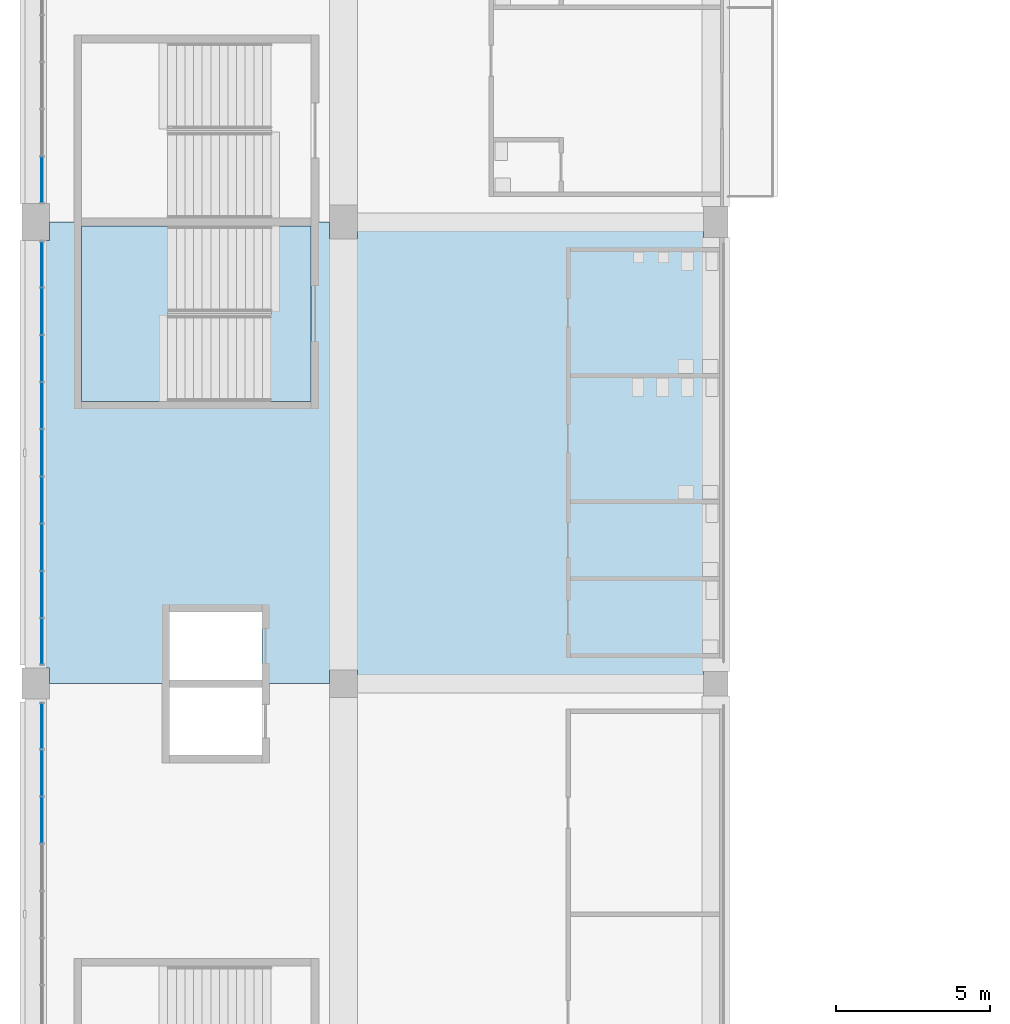
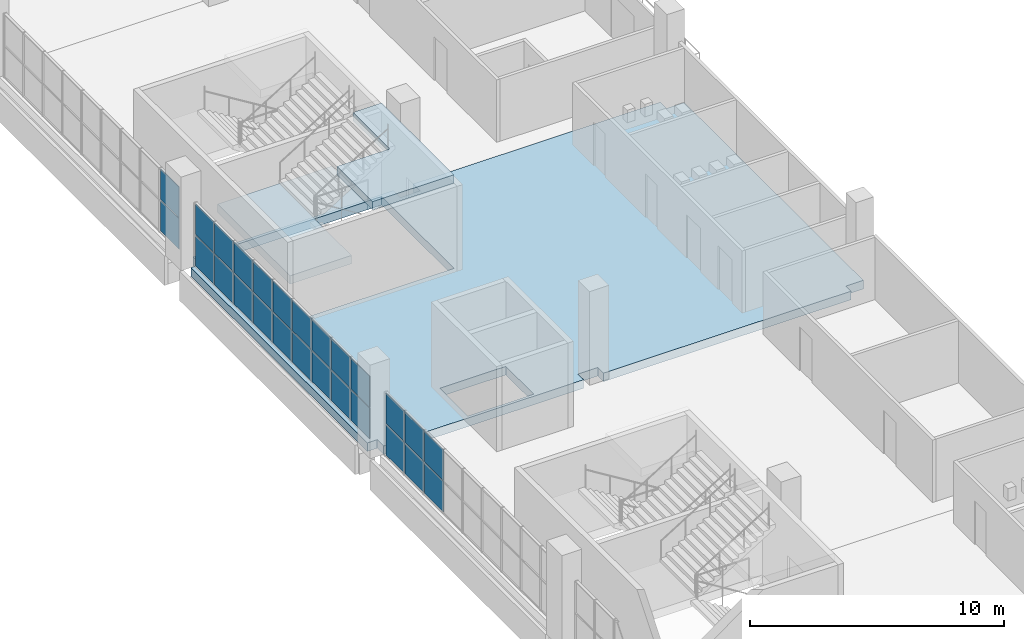
# One storey, part 61 of 199: 26 plates, 3 slabs, 4 elements without a shape of their own.
"""IFC4 building model written with IfcOpenShell, lengths in metres."""

from ifc_helpers import new_model, si_unit, direction, frame, origin, origin_2d, place, context, subcontext, project, spatial, polyline, rectangle, outline, extrude, material, layer, layer_set, type_object, element, aggregate, save


model = new_model("IFC4")

# Units and contexts
model_context = context("Model", 3, precision=1e-05, world=origin(), true_north=direction((0.0, 1.0)))
body_context = subcontext(model_context, "Body", "Model", "MODEL_VIEW")
ifc_project = project(units=[si_unit("LENGTHUNIT", "METRE"), si_unit("AREAUNIT", "SQUARE_METRE"), si_unit("VOLUMEUNIT", "CUBIC_METRE"), si_unit("PLANEANGLEUNIT", "RADIAN"), si_unit("MASSUNIT", "GRAM", prefix="KILO")], contexts=[model_context])

# Site, building, storey
site_placement = place(None, origin())
site = spatial("IfcSite", under=ifc_project, at=site_placement, CompositionType="ELEMENT")
building_placement = place(site_placement, origin())
building = spatial("IfcBuilding", under=site, at=building_placement, Name="Ogive Plaza Stadium", CompositionType="ELEMENT")
storey_placement = place(building_placement, frame((0.0, 0.0, 9.0)))
storey = spatial("IfcBuildingStorey", under=building, at=storey_placement, Name="L02", CompositionType="ELEMENT", Elevation=9.0)

# Curtain wall, plates
ifc_material_1 = material(Name="Bronze-anodised aluminium with laminated glass", Category="aluminium")
curtain_wall_type = type_object("IfcCurtainWallType", Name="Lancet curtain wall", PredefinedType="NOTDEFINED", material=ifc_material_1)
curtain_wall_1_placement = place(storey_placement, origin())
curtain_wall_1 = element("IfcCurtainWall", 1, at=curtain_wall_1_placement, inside=storey, type_object=curtain_wall_type, Name="CURTAIN WALL B24 L02", PredefinedType="NOTDEFINED")
ifc_material_2 = material(Name="Laminated glass", Category="glass")
ifc_layer_1 = layer(ifc_material_2, 0.028076171875)
ifc_layer_set_1 = layer_set([ifc_layer_1], Name="Laminated glass panel 28")
plate_type = type_object("IfcPlateType", Name="Laminated glass panel 28", PredefinedType="CURTAIN_PANEL", material=ifc_layer_set_1)
plate_1_placement = place(storey_placement, frame((-83.800048828125, 3.066650390625, 0.0498046875), z_axis=(0.0, 0.0, 1.0), x_axis=(0.0, 1.0, 0.0)))
plate_1 = element("IfcPlate", 2, at=plate_1_placement, type_object=plate_type, Name="CW-B24-L02 panel 7.1", PredefinedType="CURTAIN_PANEL", context=body_context, shape_type="SweptSolid", body=[
    extrude(rectangle(XDim=1.4833984375, YDim=0.028076171875, at=origin_2d()), origin(), (0.0, 0.0, 1.0), 1.469970703125),
])
plate_2_placement = place(storey_placement, frame((-83.800048828125, 3.066650390625, 1.56982421875), z_axis=(0.0, 0.0, 1.0), x_axis=(0.0, 1.0, 0.0)))
plate_2 = element("IfcPlate", 3, at=plate_2_placement, type_object=plate_type, Name="CW-B24-L02 panel 7.2", PredefinedType="CURTAIN_PANEL", context=body_context, shape_type="SweptSolid", body=[
    extrude(rectangle(XDim=1.4833984375, YDim=0.028076171875, at=origin_2d()), origin(), (0.0, 0.0, 1.0), 1.469970703125),
])
plate_3_placement = place(storey_placement, frame((-83.800048828125, 4.60009765625, 0.0498046875), z_axis=(0.0, 0.0, 1.0), x_axis=(0.0, 1.0, 0.0)))
plate_3 = element("IfcPlate", 4, at=plate_3_placement, type_object=plate_type, Name="CW-B24-L02 panel 8.1", PredefinedType="CURTAIN_PANEL", context=body_context, shape_type="SweptSolid", body=[
    extrude(rectangle(XDim=1.4833984375, YDim=0.028076171875, at=origin_2d()), origin(), (0.0, 0.0, 1.0), 1.469970703125),
])
plate_4_placement = place(storey_placement, frame((-83.800048828125, 4.60009765625, 1.56982421875), z_axis=(0.0, 0.0, 1.0), x_axis=(0.0, 1.0, 0.0)))
plate_4 = element("IfcPlate", 5, at=plate_4_placement, type_object=plate_type, Name="CW-B24-L02 panel 8.2", PredefinedType="CURTAIN_PANEL", context=body_context, shape_type="SweptSolid", body=[
    extrude(rectangle(XDim=1.4833984375, YDim=0.028076171875, at=origin_2d()), origin(), (0.0, 0.0, 1.0), 1.469970703125),
])
plate_5_placement = place(storey_placement, frame((-83.800048828125, 6.120849609375, 0.0498046875), z_axis=(0.0, 0.0, 1.0), x_axis=(0.0, 1.0, 0.0)))
plate_5 = element("IfcPlate", 6, at=plate_5_placement, type_object=plate_type, Name="CW-B24-L02 panel 9.1", PredefinedType="CURTAIN_PANEL", context=body_context, shape_type="SweptSolid", body=[
    extrude(rectangle(XDim=1.458251953125, YDim=0.028076171875, at=origin_2d()), origin(), (0.0, 0.0, 1.0), 1.469970703125),
])
plate_6_placement = place(storey_placement, frame((-83.800048828125, 6.120849609375, 1.56982421875), z_axis=(0.0, 0.0, 1.0), x_axis=(0.0, 1.0, 0.0)))
plate_6 = element("IfcPlate", 7, at=plate_6_placement, type_object=plate_type, Name="CW-B24-L02 panel 9.2", PredefinedType="CURTAIN_PANEL", context=body_context, shape_type="SweptSolid", body=[
    extrude(rectangle(XDim=1.458251953125, YDim=0.028076171875, at=origin_2d()), origin(), (0.0, 0.0, 1.0), 1.469970703125),
])
aggregate(curtain_wall_1, [plate_1, plate_2, plate_3, plate_4, plate_5, plate_6])

curtain_wall_2_placement = place(storey_placement, origin())
curtain_wall_2 = element("IfcCurtainWall", 8, at=curtain_wall_2_placement, inside=storey, type_object=curtain_wall_type, Name="CURTAIN WALL B25 L02", PredefinedType="NOTDEFINED")
plate_7_placement = place(storey_placement, frame((-83.800048828125, 8.879150390625, 0.0498046875), z_axis=(0.0, 0.0, 1.0), x_axis=(0.0, 1.0, 0.0)))
plate_7 = element("IfcPlate", 9, at=plate_7_placement, type_object=plate_type, Name="CW-B25-L02 panel 1.1", PredefinedType="CURTAIN_PANEL", context=body_context, shape_type="SweptSolid", body=[
    extrude(rectangle(XDim=1.458251953125, YDim=0.028076171875, at=origin_2d()), origin(), (0.0, 0.0, 1.0), 1.469970703125),
])
plate_8_placement = place(storey_placement, frame((-83.800048828125, 8.879150390625, 1.56982421875), z_axis=(0.0, 0.0, 1.0), x_axis=(0.0, 1.0, 0.0)))
plate_8 = element("IfcPlate", 10, at=plate_8_placement, type_object=plate_type, Name="CW-B25-L02 panel 1.2", PredefinedType="CURTAIN_PANEL", context=body_context, shape_type="SweptSolid", body=[
    extrude(rectangle(XDim=1.458251953125, YDim=0.028076171875, at=origin_2d()), origin(), (0.0, 0.0, 1.0), 1.469970703125),
])
plate_9_placement = place(storey_placement, frame((-83.800048828125, 10.39990234375, 0.0498046875), z_axis=(0.0, 0.0, 1.0), x_axis=(0.0, 1.0, 0.0)))
plate_9 = element("IfcPlate", 11, at=plate_9_placement, type_object=plate_type, Name="CW-B25-L02 panel 2.1", PredefinedType="CURTAIN_PANEL", context=body_context, shape_type="SweptSolid", body=[
    extrude(rectangle(XDim=1.4833984375, YDim=0.028076171875, at=origin_2d()), origin(), (0.0, 0.0, 1.0), 1.469970703125),
])
plate_10_placement = place(storey_placement, frame((-83.800048828125, 10.39990234375, 1.56982421875), z_axis=(0.0, 0.0, 1.0), x_axis=(0.0, 1.0, 0.0)))
plate_10 = element("IfcPlate", 12, at=plate_10_placement, type_object=plate_type, Name="CW-B25-L02 panel 2.2", PredefinedType="CURTAIN_PANEL", context=body_context, shape_type="SweptSolid", body=[
    extrude(rectangle(XDim=1.4833984375, YDim=0.028076171875, at=origin_2d()), origin(), (0.0, 0.0, 1.0), 1.469970703125),
])
plate_11_placement = place(storey_placement, frame((-83.800048828125, 11.933349609375, 0.0498046875), z_axis=(0.0, 0.0, 1.0), x_axis=(0.0, 1.0, 0.0)))
plate_11 = element("IfcPlate", 13, at=plate_11_placement, type_object=plate_type, Name="CW-B25-L02 panel 3.1", PredefinedType="CURTAIN_PANEL", context=body_context, shape_type="SweptSolid", body=[
    extrude(rectangle(XDim=1.4833984375, YDim=0.028076171875, at=origin_2d()), origin(), (0.0, 0.0, 1.0), 1.469970703125),
])
plate_12_placement = place(storey_placement, frame((-83.800048828125, 11.933349609375, 1.56982421875), z_axis=(0.0, 0.0, 1.0), x_axis=(0.0, 1.0, 0.0)))
plate_12 = element("IfcPlate", 14, at=plate_12_placement, type_object=plate_type, Name="CW-B25-L02 panel 3.2", PredefinedType="CURTAIN_PANEL", context=body_context, shape_type="SweptSolid", body=[
    extrude(rectangle(XDim=1.4833984375, YDim=0.028076171875, at=origin_2d()), origin(), (0.0, 0.0, 1.0), 1.469970703125),
])
plate_13_placement = place(storey_placement, frame((-83.800048828125, 13.466552734375, 0.0498046875), z_axis=(0.0, 0.0, 1.0), x_axis=(0.0, 1.0, 0.0)))
plate_13 = element("IfcPlate", 15, at=plate_13_placement, type_object=plate_type, Name="CW-B25-L02 panel 4.1", PredefinedType="CURTAIN_PANEL", context=body_context, shape_type="SweptSolid", body=[
    extrude(rectangle(XDim=1.4833984375, YDim=0.028076171875, at=origin_2d()), origin(), (0.0, 0.0, 1.0), 1.469970703125),
])
plate_14_placement = place(storey_placement, frame((-83.800048828125, 13.466552734375, 1.56982421875), z_axis=(0.0, 0.0, 1.0), x_axis=(0.0, 1.0, 0.0)))
plate_14 = element("IfcPlate", 16, at=plate_14_placement, type_object=plate_type, Name="CW-B25-L02 panel 4.2", PredefinedType="CURTAIN_PANEL", context=body_context, shape_type="SweptSolid", body=[
    extrude(rectangle(XDim=1.4833984375, YDim=0.028076171875, at=origin_2d()), origin(), (0.0, 0.0, 1.0), 1.469970703125),
])
plate_15_placement = place(storey_placement, frame((-83.800048828125, 15.0, 0.0498046875), z_axis=(0.0, 0.0, 1.0), x_axis=(0.0, 1.0, 0.0)))
plate_15 = element("IfcPlate", 17, at=plate_15_placement, type_object=plate_type, Name="CW-B25-L02 panel 5.1", PredefinedType="CURTAIN_PANEL", context=body_context, shape_type="SweptSolid", body=[
    extrude(rectangle(XDim=1.4833984375, YDim=0.028076171875, at=origin_2d()), origin(), (0.0, 0.0, 1.0), 1.469970703125),
])
plate_16_placement = place(storey_placement, frame((-83.800048828125, 15.0, 1.56982421875), z_axis=(0.0, 0.0, 1.0), x_axis=(0.0, 1.0, 0.0)))
plate_16 = element("IfcPlate", 18, at=plate_16_placement, type_object=plate_type, Name="CW-B25-L02 panel 5.2", PredefinedType="CURTAIN_PANEL", context=body_context, shape_type="SweptSolid", body=[
    extrude(rectangle(XDim=1.4833984375, YDim=0.028076171875, at=origin_2d()), origin(), (0.0, 0.0, 1.0), 1.469970703125),
])
plate_17_placement = place(storey_placement, frame((-83.800048828125, 16.533447265625, 0.0498046875), z_axis=(0.0, 0.0, 1.0), x_axis=(0.0, 1.0, 0.0)))
plate_17 = element("IfcPlate", 19, at=plate_17_placement, type_object=plate_type, Name="CW-B25-L02 panel 6.1", PredefinedType="CURTAIN_PANEL", context=body_context, shape_type="SweptSolid", body=[
    extrude(rectangle(XDim=1.4833984375, YDim=0.028076171875, at=origin_2d()), origin(), (0.0, 0.0, 1.0), 1.469970703125),
])
plate_18_placement = place(storey_placement, frame((-83.800048828125, 16.533447265625, 1.56982421875), z_axis=(0.0, 0.0, 1.0), x_axis=(0.0, 1.0, 0.0)))
plate_18 = element("IfcPlate", 20, at=plate_18_placement, type_object=plate_type, Name="CW-B25-L02 panel 6.2", PredefinedType="CURTAIN_PANEL", context=body_context, shape_type="SweptSolid", body=[
    extrude(rectangle(XDim=1.4833984375, YDim=0.028076171875, at=origin_2d()), origin(), (0.0, 0.0, 1.0), 1.469970703125),
])
plate_19_placement = place(storey_placement, frame((-83.800048828125, 18.066650390625, 0.0498046875), z_axis=(0.0, 0.0, 1.0), x_axis=(0.0, 1.0, 0.0)))
plate_19 = element("IfcPlate", 21, at=plate_19_placement, type_object=plate_type, Name="CW-B25-L02 panel 7.1", PredefinedType="CURTAIN_PANEL", context=body_context, shape_type="SweptSolid", body=[
    extrude(rectangle(XDim=1.4833984375, YDim=0.028076171875, at=origin_2d()), origin(), (0.0, 0.0, 1.0), 1.469970703125),
])
plate_20_placement = place(storey_placement, frame((-83.800048828125, 18.066650390625, 1.56982421875), z_axis=(0.0, 0.0, 1.0), x_axis=(0.0, 1.0, 0.0)))
plate_20 = element("IfcPlate", 22, at=plate_20_placement, type_object=plate_type, Name="CW-B25-L02 panel 7.2", PredefinedType="CURTAIN_PANEL", context=body_context, shape_type="SweptSolid", body=[
    extrude(rectangle(XDim=1.4833984375, YDim=0.028076171875, at=origin_2d()), origin(), (0.0, 0.0, 1.0), 1.469970703125),
])
plate_21_placement = place(storey_placement, frame((-83.800048828125, 19.60009765625, 0.0498046875), z_axis=(0.0, 0.0, 1.0), x_axis=(0.0, 1.0, 0.0)))
plate_21 = element("IfcPlate", 23, at=plate_21_placement, type_object=plate_type, Name="CW-B25-L02 panel 8.1", PredefinedType="CURTAIN_PANEL", context=body_context, shape_type="SweptSolid", body=[
    extrude(rectangle(XDim=1.4833984375, YDim=0.028076171875, at=origin_2d()), origin(), (0.0, 0.0, 1.0), 1.469970703125),
])
plate_22_placement = place(storey_placement, frame((-83.800048828125, 19.60009765625, 1.56982421875), z_axis=(0.0, 0.0, 1.0), x_axis=(0.0, 1.0, 0.0)))
plate_22 = element("IfcPlate", 24, at=plate_22_placement, type_object=plate_type, Name="CW-B25-L02 panel 8.2", PredefinedType="CURTAIN_PANEL", context=body_context, shape_type="SweptSolid", body=[
    extrude(rectangle(XDim=1.4833984375, YDim=0.028076171875, at=origin_2d()), origin(), (0.0, 0.0, 1.0), 1.469970703125),
])
plate_23_placement = place(storey_placement, frame((-83.800048828125, 21.120849609375, 0.0498046875), z_axis=(0.0, 0.0, 1.0), x_axis=(0.0, 1.0, 0.0)))
plate_23 = element("IfcPlate", 25, at=plate_23_placement, type_object=plate_type, Name="CW-B25-L02 panel 9.1", PredefinedType="CURTAIN_PANEL", context=body_context, shape_type="SweptSolid", body=[
    extrude(rectangle(XDim=1.458251953125, YDim=0.028076171875, at=origin_2d()), origin(), (0.0, 0.0, 1.0), 1.469970703125),
])
plate_24_placement = place(storey_placement, frame((-83.800048828125, 21.120849609375, 1.56982421875), z_axis=(0.0, 0.0, 1.0), x_axis=(0.0, 1.0, 0.0)))
plate_24 = element("IfcPlate", 26, at=plate_24_placement, type_object=plate_type, Name="CW-B25-L02 panel 9.2", PredefinedType="CURTAIN_PANEL", context=body_context, shape_type="SweptSolid", body=[
    extrude(rectangle(XDim=1.458251953125, YDim=0.028076171875, at=origin_2d()), origin(), (0.0, 0.0, 1.0), 1.469970703125),
])
aggregate(curtain_wall_2, [plate_7, plate_8, plate_9, plate_10, plate_11, plate_12, plate_13, plate_14, plate_15, plate_16, plate_17, plate_18, plate_19, plate_20, plate_21, plate_22, plate_23, plate_24])

curtain_wall_3_placement = place(storey_placement, origin())
curtain_wall_3 = element("IfcCurtainWall", 27, at=curtain_wall_3_placement, inside=storey, type_object=curtain_wall_type, Name="CURTAIN WALL B26 L02", PredefinedType="NOTDEFINED")
plate_25_placement = place(storey_placement, frame((-83.800048828125, 23.879150390625, 0.0498046875), z_axis=(0.0, 0.0, 1.0), x_axis=(0.0, 1.0, 0.0)))
plate_25 = element("IfcPlate", 28, at=plate_25_placement, type_object=plate_type, Name="CW-B26-L02 panel 1.1", PredefinedType="CURTAIN_PANEL", context=body_context, shape_type="SweptSolid", body=[
    extrude(rectangle(XDim=1.458251953125, YDim=0.028076171875, at=origin_2d()), origin(), (0.0, 0.0, 1.0), 1.469970703125),
])
plate_26_placement = place(storey_placement, frame((-83.800048828125, 23.879150390625, 1.56982421875), z_axis=(0.0, 0.0, 1.0), x_axis=(0.0, 1.0, 0.0)))
plate_26 = element("IfcPlate", 29, at=plate_26_placement, type_object=plate_type, Name="CW-B26-L02 panel 1.2", PredefinedType="CURTAIN_PANEL", context=body_context, shape_type="SweptSolid", body=[
    extrude(rectangle(XDim=1.458251953125, YDim=0.028076171875, at=origin_2d()), origin(), (0.0, 0.0, 1.0), 1.469970703125),
])
aggregate(curtain_wall_3, [plate_25, plate_26])

# Slab
ifc_material_3 = material(Name="Concrete C40/50", Category="concrete")
ifc_layer_2 = layer(ifc_material_3, 0.409912109375)
ifc_layer_set_2 = layer_set([ifc_layer_2], Name="Concrete C40/50")
slab_type_1 = type_object("IfcSlabType", Name="RC floor slab 410", PredefinedType="FLOOR", material=ifc_layer_set_2)
slab_1_placement = place(storey_placement, frame((0.0, 0.0, -0.409912109375)))
element("IfcSlab", 30, at=slab_1_placement, inside=storey, type_object=slab_type_1, Name="Floor slab L02 B25", PredefinedType="FLOOR", context=body_context, shape_type="SweptSolid", body=[
    extrude(outline(polyline([(-73.550048828125, 22.5), (-73.550048828125, 21.949951171875), (-74.449951171875, 21.949951171875), (-74.449951171875, 22.5), (-83.550048828125, 22.5), (-83.550048828125, 21.89990234375), (-84.0, 21.89990234375), (-84.0, 8.0), (-83.550048828125, 8.0), (-83.550048828125, 7.5), (-74.449951171875, 7.5), (-74.449951171875, 7.949951171875), (-73.550048828125, 7.949951171875), (-73.550048828125, 7.5), (-62.300048828125, 7.5), (-62.300048828125, 7.89990234375), (-61.5, 7.89990234375), (-61.5, 22.0), (-62.300048828125, 22.0), (-62.300048828125, 22.5), (-73.550048828125, 22.5)]), holes=[polyline([(-76.64990234375, 7.625), (-76.64990234375, 9.824951171875), (-79.64990234375, 9.824951171875), (-79.64990234375, 7.625), (-76.64990234375, 7.625)]), polyline([(-75.050048828125, 16.675048828125), (-75.050048828125, 22.375), (-82.510009765625, 22.375), (-82.510009765625, 16.675048828125), (-75.050048828125, 16.675048828125)])]), origin(), (0.0, 0.0, 1.0), 0.409912109375),
])

# Stair, slabs
ifc_material_4 = material(Name="Concrete C40/50", Category="concrete")
stair_type = type_object("IfcStairType", Name="Exit stair", PredefinedType="STRAIGHT_RUN_STAIR", material=ifc_material_4)
stair_placement = place(storey_placement, origin())
stair = element("IfcStair", 31, at=stair_placement, inside=storey, type_object=stair_type, Name="Exit stair ST26B L02 to L03", PredefinedType="STRAIGHT_RUN_STAIR")
ifc_material_5 = material(Name="Concrete C40/50", Category="concrete")
ifc_layer_3 = layer(ifc_material_5, 0.39990234375)
ifc_layer_set_3 = layer_set([ifc_layer_3], Name="Concrete C40/50")
slab_type_2 = type_object("IfcSlabType", Name="Stair landing", PredefinedType="LANDING", material=ifc_layer_set_3)
slab_2_placement = place(storey_placement, frame((0.0, 0.0, 1.85009765625)))
slab_2 = element("IfcSlab", 32, at=slab_2_placement, type_object=slab_type_2, Name="ST26B landing 1", PredefinedType="LANDING", context=body_context, shape_type="SweptSolid", body=[
    extrude(outline(polyline([(-77.31005859375, 22.375), (-77.31005859375, 19.574951171875), (-79.7099609375, 19.574951171875), (-79.7099609375, 16.675048828125), (-82.510009765625, 16.675048828125), (-82.510009765625, 22.375), (-79.7099609375, 22.375), (-77.31005859375, 22.375)])), origin(), (0.0, 0.0, 1.0), 0.39990234375),
])
slab_3_placement = place(storey_placement, frame((0.0, 0.0, 4.10009765625)))
slab_3 = element("IfcSlab", 33, at=slab_3_placement, type_object=slab_type_2, Name="ST26B landing 2", PredefinedType="LANDING", context=body_context, shape_type="SweptSolid", body=[
    extrude(outline(polyline([(-76.35009765625, 22.375), (-75.050048828125, 22.375), (-75.050048828125, 16.675048828125), (-76.35009765625, 16.675048828125), (-78.75, 16.675048828125), (-78.75, 19.47509765625), (-76.35009765625, 19.47509765625), (-76.35009765625, 22.375)])), origin(), (0.0, 0.0, 1.0), 0.39990234375),
])
aggregate(stair, [slab_2, slab_3])

save(model, "model.ifc")
